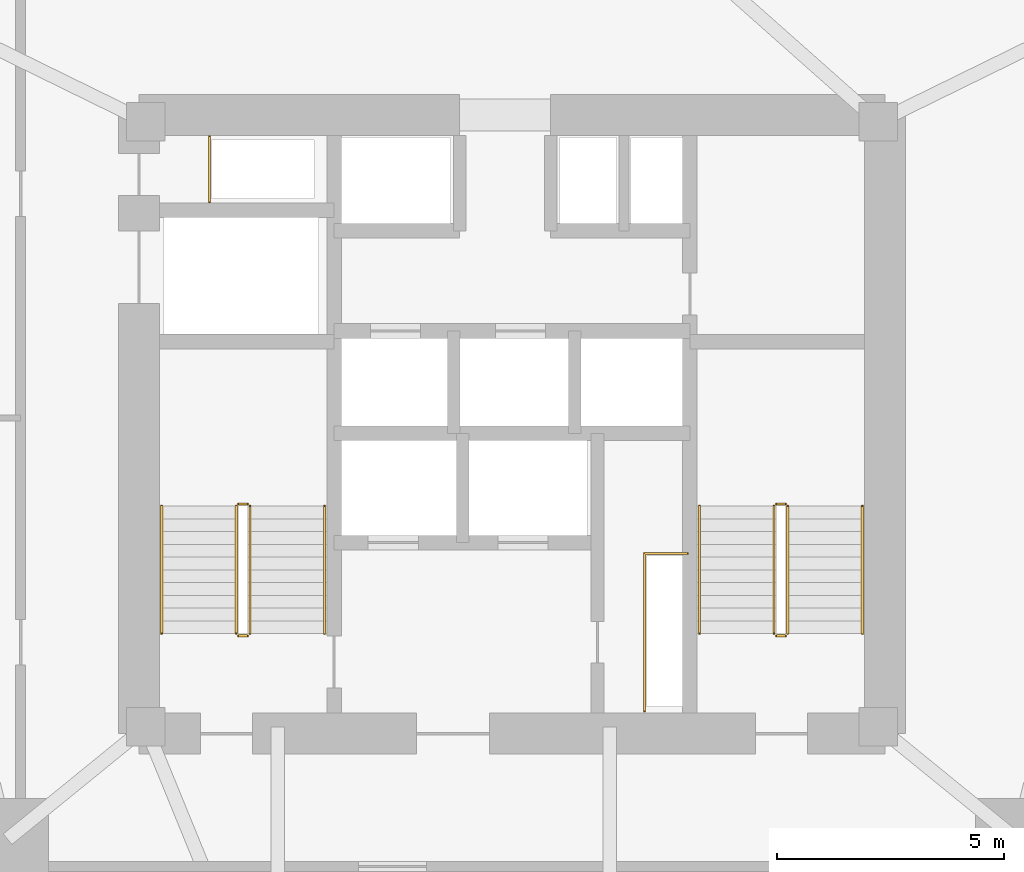
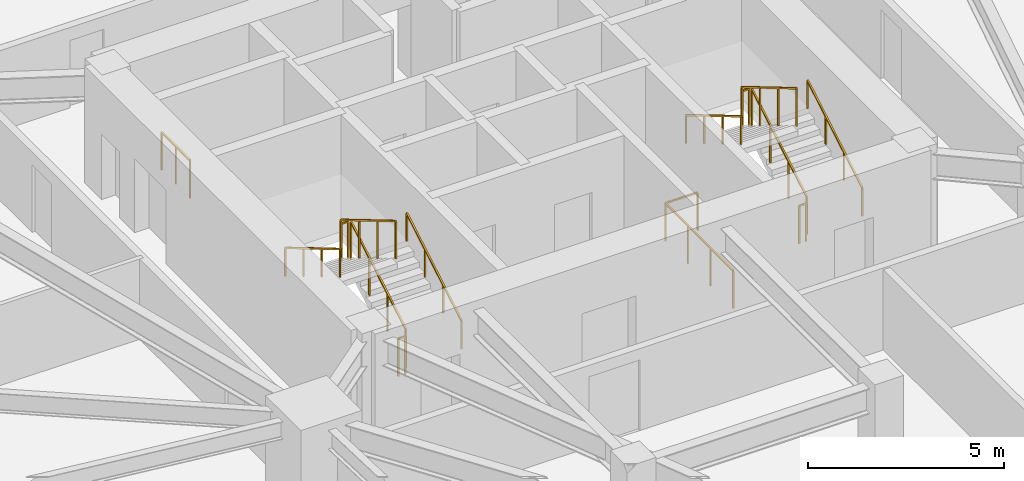
# One storey, part 14 of 14: 14 railings.
"""IFC4 building model written with IfcOpenShell, lengths in metres."""

from ifc_helpers import new_model, si_unit, direction, frame, origin, origin_2d, place, context, subcontext, project, spatial, rectangle, extrude, material, type_object, element, save


model = new_model("IFC4")

# Units and contexts
model_context = context("Model", 3, precision=1e-05, world=origin(), true_north=direction((0.0, 1.0)))
body_context = subcontext(model_context, "Body", "Model", "MODEL_VIEW")
ifc_project = project(units=[si_unit("LENGTHUNIT", "METRE"), si_unit("AREAUNIT", "SQUARE_METRE"), si_unit("VOLUMEUNIT", "CUBIC_METRE"), si_unit("PLANEANGLEUNIT", "RADIAN"), si_unit("MASSUNIT", "GRAM", prefix="KILO")], contexts=[model_context])

# Site, building, storey
site_placement = place(None, origin())
site = spatial("IfcSite", under=ifc_project, at=site_placement, CompositionType="ELEMENT")
building_placement = place(site_placement, origin())
building = spatial("IfcBuilding", under=site, at=building_placement, Name="Talyreon Biosciences Tower", CompositionType="ELEMENT")
storey_placement = place(building_placement, frame((0.0, 0.0, 48.35009765625)))
storey = spatial("IfcBuildingStorey", under=building, at=storey_placement, Name="L12", CompositionType="ELEMENT", Elevation=48.35009765625)

# Railings
ifc_material_1 = material(Name="Brushed stainless-steel tubular handrail", Category="steel")
railing_type_1 = type_object("IfcRailingType", Name="StairWallHandrail_900", PredefinedType="HANDRAIL", material=ifc_material_1)
railing_1_placement = place(storey_placement, frame((61.8798828125, 63.39990234375, 0.165771484375)))
element("IfcRailing", 1, at=railing_1_placement, inside=storey, type_object=railing_type_1, Name="L12 ST-1 stair handrail 1", PredefinedType="HANDRAIL", context=body_context, shape_type="SweptSolid", body=[
    extrude(rectangle(XDim=0.048095703125, YDim=0.048095703125, at=origin_2d()), frame((0.0, 0.0, 0.8759765625), z_axis=(0.0, 0.860306154799, 0.50977771628), x_axis=(-1.0, 0.0, 0.0)), (0.0, 0.0, 1.0), 3.254638671875),
    extrude(rectangle(XDim=0.0419921875, YDim=0.0419921875, at=origin_2d()), origin(), (0.0, 0.0, 1.0), 0.851806640625),
    extrude(rectangle(XDim=0.0419921875, YDim=0.0419921875, at=origin_2d()), frame((0.0, 0.933349609375, 0.552978515625)), (0.0, 0.0, 1.0), 0.851806640625),
    extrude(rectangle(XDim=0.0419921875, YDim=0.0419921875, at=origin_2d()), frame((0.0, 1.86669921875, 1.106201171875)), (0.0, 0.0, 1.0), 0.851806640625),
    extrude(rectangle(XDim=0.0419921875, YDim=0.0419921875, at=origin_2d()), frame((0.0, 2.800048828125, 1.6591796875)), (0.0, 0.0, 1.0), 0.851806640625),
])
railing_2_placement = place(storey_placement, frame((58.300048828125, 66.199951171875, 1.99072265625)))
element("IfcRailing", 2, at=railing_2_placement, inside=storey, type_object=railing_type_1, Name="L12 ST-1 stair handrail 2", PredefinedType="HANDRAIL", context=body_context, shape_type="SweptSolid", body=[
    extrude(rectangle(XDim=0.048095703125, YDim=0.048095703125, at=origin_2d()), frame((0.0, 0.0, 0.8759765625), z_axis=(0.0, -0.860306154799, 0.50977771628), x_axis=(1.0, 0.0, 0.0)), (0.0, 0.0, 1.0), 3.254638671875),
    extrude(rectangle(XDim=0.0419921875, YDim=0.0419921875, at=origin_2d()), origin(), (0.0, 0.0, 1.0), 0.851806640625),
    extrude(rectangle(XDim=0.0419921875, YDim=0.0419921875, at=origin_2d()), frame((0.0, -0.933349609375, 0.552978515625)), (0.0, 0.0, 1.0), 0.851806640625),
    extrude(rectangle(XDim=0.0419921875, YDim=0.0419921875, at=origin_2d()), frame((0.0, -1.86669921875, 1.106201171875)), (0.0, 0.0, 1.0), 0.851806640625),
    extrude(rectangle(XDim=0.0419921875, YDim=0.0419921875, at=origin_2d()), frame((0.0, -2.800048828125, 1.6591796875)), (0.0, 0.0, 1.0), 0.851806640625),
])
railing_3_placement = place(storey_placement, frame((73.699951171875, 63.39990234375, 0.165771484375)))
element("IfcRailing", 3, at=railing_3_placement, inside=storey, type_object=railing_type_1, Name="L12 ST-2 stair handrail 1", PredefinedType="HANDRAIL", context=body_context, shape_type="SweptSolid", body=[
    extrude(rectangle(XDim=0.048095703125, YDim=0.048095703125, at=origin_2d()), frame((0.0, 0.0, 0.8759765625), z_axis=(0.0, 0.860306154799, 0.50977771628), x_axis=(-1.0, 0.0, 0.0)), (0.0, 0.0, 1.0), 3.254638671875),
    extrude(rectangle(XDim=0.0419921875, YDim=0.0419921875, at=origin_2d()), origin(), (0.0, 0.0, 1.0), 0.851806640625),
    extrude(rectangle(XDim=0.0419921875, YDim=0.0419921875, at=origin_2d()), frame((0.0, 0.933349609375, 0.552978515625)), (0.0, 0.0, 1.0), 0.851806640625),
    extrude(rectangle(XDim=0.0419921875, YDim=0.0419921875, at=origin_2d()), frame((0.0, 1.86669921875, 1.106201171875)), (0.0, 0.0, 1.0), 0.851806640625),
    extrude(rectangle(XDim=0.0419921875, YDim=0.0419921875, at=origin_2d()), frame((0.0, 2.800048828125, 1.6591796875)), (0.0, 0.0, 1.0), 0.851806640625),
])
railing_4_placement = place(storey_placement, frame((70.1201171875, 66.199951171875, 1.99072265625)))
element("IfcRailing", 4, at=railing_4_placement, inside=storey, type_object=railing_type_1, Name="L12 ST-2 stair handrail 2", PredefinedType="HANDRAIL", context=body_context, shape_type="SweptSolid", body=[
    extrude(rectangle(XDim=0.048095703125, YDim=0.048095703125, at=origin_2d()), frame((0.0, 0.0, 0.8759765625), z_axis=(0.0, -0.860306154799, 0.50977771628), x_axis=(1.0, 0.0, 0.0)), (0.0, 0.0, 1.0), 3.254638671875),
    extrude(rectangle(XDim=0.0419921875, YDim=0.0419921875, at=origin_2d()), origin(), (0.0, 0.0, 1.0), 0.851806640625),
    extrude(rectangle(XDim=0.0419921875, YDim=0.0419921875, at=origin_2d()), frame((0.0, -0.933349609375, 0.552978515625)), (0.0, 0.0, 1.0), 0.851806640625),
    extrude(rectangle(XDim=0.0419921875, YDim=0.0419921875, at=origin_2d()), frame((0.0, -1.86669921875, 1.106201171875)), (0.0, 0.0, 1.0), 0.851806640625),
    extrude(rectangle(XDim=0.0419921875, YDim=0.0419921875, at=origin_2d()), frame((0.0, -2.800048828125, 1.6591796875)), (0.0, 0.0, 1.0), 0.851806640625),
])
ifc_material_2 = material(Name="Painted galvanised steel post-and-rail balustrade", Category="steel")
railing_type_2 = type_object("IfcRailingType", Name="TerraceStairGuard_1200", PredefinedType="GUARDRAIL", material=ifc_material_2)
railing_5_placement = place(storey_placement, frame((60.239990234375, 63.39990234375, 0.165771484375)))
element("IfcRailing", 5, at=railing_5_placement, inside=storey, type_object=railing_type_2, Name="L12 ST-1 stair guard 1", PredefinedType="GUARDRAIL", context=body_context, shape_type="SweptSolid", body=[
    extrude(rectangle(XDim=0.048095703125, YDim=0.048095703125, at=origin_2d()), frame((0.0, 0.0, 1.17578125), z_axis=(0.0, 0.860306154799, 0.50977771628), x_axis=(-1.0, 0.0, 0.0)), (0.0, 0.0, 1.0), 3.254638671875),
    extrude(rectangle(XDim=0.0419921875, YDim=0.0419921875, at=origin_2d()), origin(), (0.0, 0.0, 1.0), 1.15185546875),
    extrude(rectangle(XDim=0.0419921875, YDim=0.0419921875, at=origin_2d()), frame((0.0, 0.933349609375, 0.552978515625)), (0.0, 0.0, 1.0), 1.15185546875),
    extrude(rectangle(XDim=0.0419921875, YDim=0.0419921875, at=origin_2d()), frame((0.0, 1.86669921875, 1.106201171875)), (0.0, 0.0, 1.0), 1.15185546875),
    extrude(rectangle(XDim=0.0419921875, YDim=0.0419921875, at=origin_2d()), frame((0.0, 2.800048828125, 1.6591796875)), (0.0, 0.0, 1.0), 1.15185546875),
])
railing_6_placement = place(storey_placement, frame((60.18994140625, 66.25, 1.824951171875)))
element("IfcRailing", 6, at=railing_6_placement, inside=storey, type_object=railing_type_2, Name="L12 ST-1 stair guard 2", PredefinedType="GUARDRAIL", context=body_context, shape_type="SweptSolid", body=[
    extrude(rectangle(XDim=0.048095703125, YDim=0.048095703125, at=origin_2d()), frame((0.0, 0.0, 1.17578125), z_axis=(-1.0, 0.0, 0.0), x_axis=(0.0, -1.0, 0.0)), (0.0, 0.0, 1.0), 0.199951171875),
    extrude(rectangle(XDim=0.0419921875, YDim=0.0419921875, at=origin_2d()), origin(), (0.0, 0.0, 1.0), 1.15185546875),
    extrude(rectangle(XDim=0.0419921875, YDim=0.0419921875, at=origin_2d()), frame((-0.199951171875, 0.0, 0.0)), (0.0, 0.0, 1.0), 1.15185546875),
])
railing_7_placement = place(storey_placement, frame((59.93994140625, 66.199951171875, 1.99072265625)))
element("IfcRailing", 7, at=railing_7_placement, inside=storey, type_object=railing_type_2, Name="L12 ST-1 stair guard 3", PredefinedType="GUARDRAIL", context=body_context, shape_type="SweptSolid", body=[
    extrude(rectangle(XDim=0.048095703125, YDim=0.048095703125, at=origin_2d()), frame((0.0, 0.0, 1.17578125), z_axis=(0.0, -0.860306154799, 0.50977771628), x_axis=(1.0, 0.0, 0.0)), (0.0, 0.0, 1.0), 3.254638671875),
    extrude(rectangle(XDim=0.0419921875, YDim=0.0419921875, at=origin_2d()), origin(), (0.0, 0.0, 1.0), 1.15185546875),
    extrude(rectangle(XDim=0.0419921875, YDim=0.0419921875, at=origin_2d()), frame((0.0, -0.933349609375, 0.552978515625)), (0.0, 0.0, 1.0), 1.15185546875),
    extrude(rectangle(XDim=0.0419921875, YDim=0.0419921875, at=origin_2d()), frame((0.0, -1.86669921875, 1.106201171875)), (0.0, 0.0, 1.0), 1.15185546875),
    extrude(rectangle(XDim=0.0419921875, YDim=0.0419921875, at=origin_2d()), frame((0.0, -2.800048828125, 1.6591796875)), (0.0, 0.0, 1.0), 1.15185546875),
])
railing_8_placement = place(storey_placement, frame((60.18994140625, 63.35009765625, 0.0)))
element("IfcRailing", 8, at=railing_8_placement, inside=storey, type_object=railing_type_2, Name="L12 ST-1 stair guard 4", PredefinedType="GUARDRAIL", context=body_context, shape_type="SweptSolid", body=[
    extrude(rectangle(XDim=0.048095703125, YDim=0.048095703125, at=origin_2d()), frame((0.0, 0.0, 1.17578125), z_axis=(-1.0, 0.0, 0.0), x_axis=(0.0, -1.0, 0.0)), (0.0, 0.0, 1.0), 0.199951171875),
    extrude(rectangle(XDim=0.0419921875, YDim=0.0419921875, at=origin_2d()), origin(), (0.0, 0.0, 1.0), 1.15185546875),
    extrude(rectangle(XDim=0.0419921875, YDim=0.0419921875, at=origin_2d()), frame((-0.199951171875, 0.0, 0.0)), (0.0, 0.0, 1.0), 1.15185546875),
])
railing_9_placement = place(storey_placement, frame((72.06005859375, 63.39990234375, 0.165771484375)))
element("IfcRailing", 9, at=railing_9_placement, inside=storey, type_object=railing_type_2, Name="L12 ST-2 stair guard 1", PredefinedType="GUARDRAIL", context=body_context, shape_type="SweptSolid", body=[
    extrude(rectangle(XDim=0.048095703125, YDim=0.048095703125, at=origin_2d()), frame((0.0, 0.0, 1.17578125), z_axis=(0.0, 0.860306154799, 0.50977771628), x_axis=(-1.0, 0.0, 0.0)), (0.0, 0.0, 1.0), 3.254638671875),
    extrude(rectangle(XDim=0.0419921875, YDim=0.0419921875, at=origin_2d()), origin(), (0.0, 0.0, 1.0), 1.15185546875),
    extrude(rectangle(XDim=0.0419921875, YDim=0.0419921875, at=origin_2d()), frame((0.0, 0.933349609375, 0.552978515625)), (0.0, 0.0, 1.0), 1.15185546875),
    extrude(rectangle(XDim=0.0419921875, YDim=0.0419921875, at=origin_2d()), frame((0.0, 1.86669921875, 1.106201171875)), (0.0, 0.0, 1.0), 1.15185546875),
    extrude(rectangle(XDim=0.0419921875, YDim=0.0419921875, at=origin_2d()), frame((0.0, 2.800048828125, 1.6591796875)), (0.0, 0.0, 1.0), 1.15185546875),
])
railing_10_placement = place(storey_placement, frame((72.010009765625, 66.25, 1.824951171875)))
element("IfcRailing", 10, at=railing_10_placement, inside=storey, type_object=railing_type_2, Name="L12 ST-2 stair guard 2", PredefinedType="GUARDRAIL", context=body_context, shape_type="SweptSolid", body=[
    extrude(rectangle(XDim=0.048095703125, YDim=0.048095703125, at=origin_2d()), frame((0.0, 0.0, 1.17578125), z_axis=(-1.0, 0.0, 0.0), x_axis=(0.0, -1.0, 0.0)), (0.0, 0.0, 1.0), 0.199951171875),
    extrude(rectangle(XDim=0.0419921875, YDim=0.0419921875, at=origin_2d()), origin(), (0.0, 0.0, 1.0), 1.15185546875),
    extrude(rectangle(XDim=0.0419921875, YDim=0.0419921875, at=origin_2d()), frame((-0.199951171875, 0.0, 0.0)), (0.0, 0.0, 1.0), 1.15185546875),
])
railing_11_placement = place(storey_placement, frame((71.760009765625, 66.199951171875, 1.99072265625)))
element("IfcRailing", 11, at=railing_11_placement, inside=storey, type_object=railing_type_2, Name="L12 ST-2 stair guard 3", PredefinedType="GUARDRAIL", context=body_context, shape_type="SweptSolid", body=[
    extrude(rectangle(XDim=0.048095703125, YDim=0.048095703125, at=origin_2d()), frame((0.0, 0.0, 1.17578125), z_axis=(0.0, -0.860306154799, 0.50977771628), x_axis=(1.0, 0.0, 0.0)), (0.0, 0.0, 1.0), 3.254638671875),
    extrude(rectangle(XDim=0.0419921875, YDim=0.0419921875, at=origin_2d()), origin(), (0.0, 0.0, 1.0), 1.15185546875),
    extrude(rectangle(XDim=0.0419921875, YDim=0.0419921875, at=origin_2d()), frame((0.0, -0.933349609375, 0.552978515625)), (0.0, 0.0, 1.0), 1.15185546875),
    extrude(rectangle(XDim=0.0419921875, YDim=0.0419921875, at=origin_2d()), frame((0.0, -1.86669921875, 1.106201171875)), (0.0, 0.0, 1.0), 1.15185546875),
    extrude(rectangle(XDim=0.0419921875, YDim=0.0419921875, at=origin_2d()), frame((0.0, -2.800048828125, 1.6591796875)), (0.0, 0.0, 1.0), 1.15185546875),
])
railing_12_placement = place(storey_placement, frame((72.010009765625, 63.35009765625, 0.0)))
element("IfcRailing", 12, at=railing_12_placement, inside=storey, type_object=railing_type_2, Name="L12 ST-2 stair guard 4", PredefinedType="GUARDRAIL", context=body_context, shape_type="SweptSolid", body=[
    extrude(rectangle(XDim=0.048095703125, YDim=0.048095703125, at=origin_2d()), frame((0.0, 0.0, 1.17578125), z_axis=(-1.0, 0.0, 0.0), x_axis=(0.0, -1.0, 0.0)), (0.0, 0.0, 1.0), 0.199951171875),
    extrude(rectangle(XDim=0.0419921875, YDim=0.0419921875, at=origin_2d()), origin(), (0.0, 0.0, 1.0), 1.15185546875),
    extrude(rectangle(XDim=0.0419921875, YDim=0.0419921875, at=origin_2d()), frame((-0.199951171875, 0.0, 0.0)), (0.0, 0.0, 1.0), 1.15185546875),
])
railing_13_placement = place(storey_placement, frame((59.35009765625, 72.8798828125, 0.0)))
element("IfcRailing", 13, at=railing_13_placement, inside=storey, type_object=railing_type_2, Name="L12 Exhaust Riser Maintenance Guardrail", PredefinedType="GUARDRAIL", context=body_context, shape_type="SweptSolid", body=[
    extrude(rectangle(XDim=0.048095703125, YDim=0.048095703125, at=origin_2d()), frame((0.0, 0.0, 1.17578125), z_axis=(0.0, 1.0, 0.0), x_axis=(-1.0, 0.0, 0.0)), (0.0, 0.0, 1.0), 1.4501953125),
    extrude(rectangle(XDim=0.0419921875, YDim=0.0419921875, at=origin_2d()), origin(), (0.0, 0.0, 1.0), 1.15185546875),
    extrude(rectangle(XDim=0.0419921875, YDim=0.0419921875, at=origin_2d()), frame((0.0, 0.72509765625, 0.0)), (0.0, 0.0, 1.0), 1.15185546875),
    extrude(rectangle(XDim=0.0419921875, YDim=0.0419921875, at=origin_2d()), frame((0.0, 1.4501953125, 0.0)), (0.0, 0.0, 1.0), 1.15185546875),
])
railing_14_placement = place(storey_placement, frame((68.909912109375, 61.699951171875, 0.0)))
element("IfcRailing", 14, at=railing_14_placement, inside=storey, type_object=railing_type_2, Name="L12 Electrical Riser Maintenance Guardrail", PredefinedType="GUARDRAIL", context=body_context, shape_type="SweptSolid", body=[
    extrude(rectangle(XDim=0.048095703125, YDim=0.048095703125, at=origin_2d()), frame((0.0, 0.0, 1.17578125), z_axis=(0.0, 1.0, 0.0), x_axis=(-1.0, 0.0, 0.0)), (0.0, 0.0, 1.0), 3.4599609375),
    extrude(rectangle(XDim=0.048095703125, YDim=0.048095703125, at=origin_2d()), frame((0.0, 3.4599609375, 1.17578125), z_axis=(1.0, 0.0, 0.0), x_axis=(0.0, 1.0, 0.0)), (0.0, 0.0, 1.0), 0.9501953125),
    extrude(rectangle(XDim=0.0419921875, YDim=0.0419921875, at=origin_2d()), origin(), (0.0, 0.0, 1.0), 1.15185546875),
    extrude(rectangle(XDim=0.0419921875, YDim=0.0419921875, at=origin_2d()), frame((0.0, 1.1533203125, 0.0)), (0.0, 0.0, 1.0), 1.15185546875),
    extrude(rectangle(XDim=0.0419921875, YDim=0.0419921875, at=origin_2d()), frame((0.0, 2.306640625, 0.0)), (0.0, 0.0, 1.0), 1.15185546875),
    extrude(rectangle(XDim=0.0419921875, YDim=0.0419921875, at=origin_2d()), frame((0.0, 3.4599609375, 0.0)), (0.0, 0.0, 1.0), 1.15185546875),
    extrude(rectangle(XDim=0.0419921875, YDim=0.0419921875, at=origin_2d()), frame((0.9501953125, 3.4599609375, 0.0)), (0.0, 0.0, 1.0), 1.15185546875),
])

save(model, "model.ifc")
